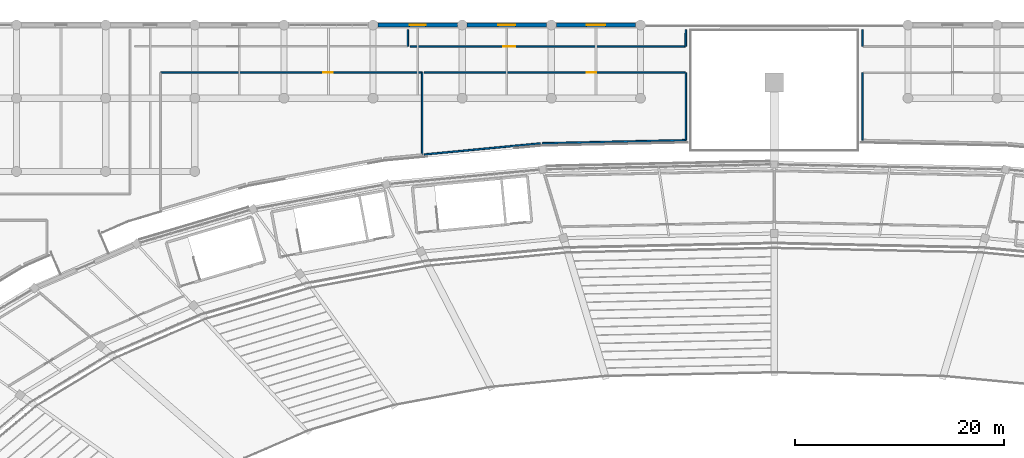
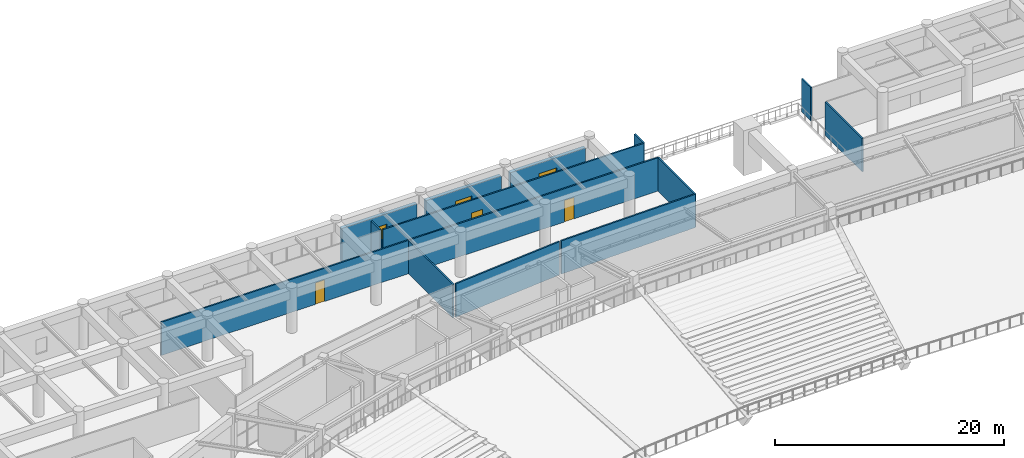
# One storey, part 105 of 137: 14 walls, 3 doors, 3 windows, 6 openings.
"""IFC4 building model written with IfcOpenShell, lengths in metres."""

from ifc_helpers import new_model, si_unit, direction, frame, frame_2d, origin, place, context, subcontext, project, spatial, rectangle, extrude, material, layer, layer_set, type_object, element, fill, save


model = new_model("IFC4")

# Units and contexts
model_context = context("Model", 3, precision=1e-05, world=origin(), true_north=direction((0.0, 1.0)))
body_context = subcontext(model_context, "Body", "Model", "MODEL_VIEW")
ifc_project = project(units=[si_unit("LENGTHUNIT", "METRE"), si_unit("AREAUNIT", "SQUARE_METRE"), si_unit("VOLUMEUNIT", "CUBIC_METRE"), si_unit("PLANEANGLEUNIT", "RADIAN"), si_unit("MASSUNIT", "GRAM", prefix="KILO")], contexts=[model_context])

# Site, building, storey
site_placement = place(None, origin())
site = spatial("IfcSite", under=ifc_project, at=site_placement, CompositionType="ELEMENT")
building_placement = place(site_placement, origin())
building = spatial("IfcBuilding", under=site, at=building_placement, Name="Mphavela Belvedere Stadium", CompositionType="ELEMENT")
storey_placement = place(building_placement, frame((0.0, 0.0, 19.199951171875)))
storey = spatial("IfcBuildingStorey", under=building, at=storey_placement, Name="L04", CompositionType="ELEMENT", Elevation=19.199951171875)

# Wall, opening, window
ifc_material_1 = material(Name="Honed ashlar limestone masonry", Category="masonry")
ifc_layer_1 = layer(ifc_material_1, 0.35009765625)
ifc_layer_set_1 = layer_set([ifc_layer_1], Name="Honed ashlar limestone masonry")
wall_type_1 = type_object("IfcWallType", Name="WAL-EXT-ASHLAR-350", PredefinedType="STANDARD", material=ifc_layer_set_1)
wall_1_placement = place(storey_placement, frame((77.139892578125, 174.0, 0.0), z_axis=(0.0, 0.0, 1.0), x_axis=(1.0, 0.0, 0.0)))
wall_1 = element("IfcWall", 1, at=wall_1_placement, inside=storey, type_object=wall_type_1, Name="North Mast and Ceremonial End Forecourt outer facade bay L04-10", PredefinedType="STANDARD", context=body_context, shape_type="SweptSolid", body=[
    extrude(rectangle(XDim=7.572021484375, YDim=0.35009765625, at=frame_2d((3.7861328125, 0.0))), origin(), (0.0, 0.0, 1.0), 3.56005859375),
])
opening_1_placement = place(wall_1_placement, frame((3.02587890625, 0.0, 0.89990234375)))
opening_1 = element("IfcOpeningElement", 2, at=opening_1_placement, cuts=wall_1, Name="Opening W-224", PredefinedType="OPENING", context=body_context, shape_type="SweptSolid", body=[
    extrude(rectangle(XDim=1.52001953125, YDim=1.550048828125, at=frame_2d((0.760009765625, 0.77490234375))), frame((0.0, 0.18505859375, 0.0), z_axis=(0.0, -1.0, 0.0), x_axis=(1.0, 0.0, 0.0)), (0.0, 0.0, 1.0), 0.3701171875),
])
ifc_material_2 = material(Name="Bronze-anodised thermally broken aluminium window", Category="aluminium")
window_type_1 = type_object("IfcWindowType", Name="WIN-EXT-04", PartitioningType="SINGLE_PANEL", PredefinedType="WINDOW", material=ifc_material_2)
window_1_placement = place(opening_1_placement, origin())
window_1 = element("IfcWindow", 3, at=window_1_placement, inside=storey, type_object=window_type_1, Name="North Mast and Ceremonial End Forecourt classical window W-224", OverallHeight=1.550048828125, OverallWidth=1.52001953125, PartitioningType="SINGLE_PANEL", PredefinedType="WINDOW", context=body_context, shape_type="SweptSolid", body=[
    extrude(rectangle(XDim=1.52001953125, YDim=1.550048828125, at=frame_2d((0.760009765625, 0.77490234375))), frame((0.0, 0.030029296875, 0.0), z_axis=(0.0, -1.0, 0.0), x_axis=(1.0, 0.0, 0.0)), (0.0, 0.0, 1.0), 0.06005859375),
])
fill(opening_1, window_1)

wall_2_placement = place(storey_placement, frame((85.657958984375, 174.0, 0.0), z_axis=(0.0, 0.0, 1.0), x_axis=(1.0, 0.0, 0.0)))
wall_2 = element("IfcWall", 4, at=wall_2_placement, inside=storey, type_object=wall_type_1, Name="North Mast and Ceremonial End Forecourt outer facade bay L04-11", PredefinedType="STANDARD", context=body_context, shape_type="SweptSolid", body=[
    extrude(rectangle(XDim=7.572998046875, YDim=0.35009765625, at=frame_2d((3.78662109375, 0.0))), origin(), (0.0, 0.0, 1.0), 3.56005859375),
])
opening_2_placement = place(wall_2_placement, frame((2.95654296875, 0.0, 0.89990234375)))
opening_2 = element("IfcOpeningElement", 5, at=opening_2_placement, cuts=wall_2, Name="Opening W-225", PredefinedType="OPENING", context=body_context, shape_type="SweptSolid", body=[
    extrude(rectangle(XDim=1.659912109375, YDim=1.550048828125, at=frame_2d((0.830078125, 0.77490234375))), frame((0.0, 0.18505859375, 0.0), z_axis=(0.0, -1.0, 0.0), x_axis=(1.0, 0.0, 0.0)), (0.0, 0.0, 1.0), 0.3701171875),
])
ifc_material_3 = material(Name="Bronze-anodised thermally broken aluminium window", Category="aluminium")
window_type_2 = type_object("IfcWindowType", Name="WIN-EXT-05", PartitioningType="SINGLE_PANEL", PredefinedType="WINDOW", material=ifc_material_3)
window_2_placement = place(opening_2_placement, origin())
window_2 = element("IfcWindow", 6, at=window_2_placement, inside=storey, type_object=window_type_2, Name="North Mast and Ceremonial End Forecourt classical window W-225", OverallHeight=1.550048828125, OverallWidth=1.659912109375, PartitioningType="SINGLE_PANEL", PredefinedType="WINDOW", context=body_context, shape_type="SweptSolid", body=[
    extrude(rectangle(XDim=1.659912109375, YDim=1.550048828125, at=frame_2d((0.830078125, 0.77490234375))), frame((0.0, 0.030029296875, 0.0), z_axis=(0.0, -1.0, 0.0), x_axis=(1.0, 0.0, 0.0)), (0.0, 0.0, 1.0), 0.06005859375),
])
fill(opening_2, window_2)

wall_3_placement = place(storey_placement, frame((94.177001953125, 174.0, 0.0), z_axis=(0.0, 0.0, 1.0), x_axis=(1.0, 0.0, 0.0)))
wall_3 = element("IfcWall", 7, at=wall_3_placement, inside=storey, type_object=wall_type_1, Name="North Mast and Ceremonial End Forecourt outer facade bay L04-12", PredefinedType="STANDARD", context=body_context, shape_type="SweptSolid", body=[
    extrude(rectangle(XDim=7.572021484375, YDim=0.35009765625, at=frame_2d((3.7861328125, 0.0))), origin(), (0.0, 0.0, 1.0), 3.56005859375),
])
opening_3_placement = place(wall_3_placement, frame((2.885986328125, 0.0, 0.89990234375)))
opening_3 = element("IfcOpeningElement", 8, at=opening_3_placement, cuts=wall_3, Name="Opening W-226", PredefinedType="OPENING", context=body_context, shape_type="SweptSolid", body=[
    extrude(rectangle(XDim=1.800048828125, YDim=1.550048828125, at=frame_2d((0.89990234375, 0.77490234375))), frame((0.0, 0.18505859375, 0.0), z_axis=(0.0, -1.0, 0.0), x_axis=(1.0, 0.0, 0.0)), (0.0, 0.0, 1.0), 0.3701171875),
])
ifc_material_4 = material(Name="Bronze-anodised thermally broken aluminium window", Category="aluminium")
window_type_3 = type_object("IfcWindowType", Name="WIN-EXT-06", PartitioningType="SINGLE_PANEL", PredefinedType="WINDOW", material=ifc_material_4)
window_3_placement = place(opening_3_placement, origin())
window_3 = element("IfcWindow", 9, at=window_3_placement, inside=storey, type_object=window_type_3, Name="North Mast and Ceremonial End Forecourt classical window W-226", OverallHeight=1.550048828125, OverallWidth=1.800048828125, PartitioningType="SINGLE_PANEL", PredefinedType="WINDOW", context=body_context, shape_type="SweptSolid", body=[
    extrude(rectangle(XDim=1.800048828125, YDim=1.550048828125, at=frame_2d((0.89990234375, 0.77490234375))), frame((0.0, 0.030029296875, 0.0), z_axis=(0.0, -1.0, 0.0), x_axis=(1.0, 0.0, 0.0)), (0.0, 0.0, 1.0), 0.06005859375),
])
fill(opening_3, window_3)

# Wall, opening, door
ifc_material_5 = material(Name="Acoustic gypsum stud partition assembly")
ifc_layer_2 = layer(ifc_material_5, 0.14990234375)
ifc_layer_set_2 = layer_set([ifc_layer_2], Name="Acoustic gypsum stud partition assembly")
wall_type_2 = type_object("IfcWallType", Name="WAL-PART-150", PredefinedType="PARTITIONING", material=ifc_layer_set_2)
wall_4_placement = place(storey_placement, frame((106.5, 171.9599609375, 0.0), z_axis=(0.0, 0.0, 1.0), x_axis=(-1.0, 0.0, 0.0)))
wall_4 = element("IfcWall", 10, at=wall_4_placement, inside=storey, type_object=wall_type_2, Name="Room L04-118 corridor partition", PredefinedType="PARTITIONING", context=body_context, shape_type="SweptSolid", body=[
    extrude(rectangle(XDim=26.300048828125, YDim=0.14990234375, at=frame_2d((13.14990234375, 0.0))), origin(), (0.0, 0.0, 1.0), 3.550048828125),
])
opening_4_placement = place(wall_4_placement, frame((16.258056640625, 0.0, 0.0)))
opening_4 = element("IfcOpeningElement", 11, at=opening_4_placement, cuts=wall_4, Name="Opening ID-487", PredefinedType="OPENING", context=body_context, shape_type="SweptSolid", body=[
    extrude(rectangle(XDim=1.139892578125, YDim=2.199951171875, at=frame_2d((0.56982421875, 1.10009765625))), frame((0.0, 0.0849609375, 0.0), z_axis=(0.0, -1.0, 0.0), x_axis=(1.0, 0.0, 0.0)), (0.0, 0.0, 1.0), 0.169921875),
])
ifc_material_6 = material(Name="Hardwood acoustic timber doorset", Category="wood")
door_type_1 = type_object("IfcDoorType", Name="DR-INT-19", OperationType="NOTDEFINED", PredefinedType="DOOR", material=ifc_material_6)
door_1_placement = place(opening_4_placement, origin())
door_1 = element("IfcDoor", 12, at=door_1_placement, inside=storey, type_object=door_type_1, Name="Room L04-118 entrance door ID-487", OperationType="SINGLE_SWING_LEFT", OverallHeight=2.199951171875, OverallWidth=1.139892578125, PredefinedType="DOOR", context=body_context, shape_type="SweptSolid", body=[
    extrude(rectangle(XDim=1.139892578125, YDim=2.199951171875, at=frame_2d((0.56982421875, 1.10009765625))), frame((0.0, 0.02490234375, 0.0), z_axis=(0.0, -1.0, 0.0), x_axis=(1.0, 0.0, 0.0)), (0.0, 0.0, 1.0), 0.050048828125),
])
fill(opening_4, door_1)

wall_5_placement = place(storey_placement, frame((56.360107421875, 169.43994140625, 0.0), z_axis=(0.0, 0.0, 1.0), x_axis=(1.0, 0.0, 0.0)))
wall_5 = element("IfcWall", 13, at=wall_5_placement, inside=storey, type_object=wall_type_2, Name="Room L04-124 corridor partition", PredefinedType="PARTITIONING", context=body_context, shape_type="SweptSolid", body=[
    extrude(rectangle(XDim=24.994873046875, YDim=0.14990234375, at=frame_2d((12.49755859375, 0.0))), origin(), (0.0, 0.0, 1.0), 3.550048828125),
])
opening_5_placement = place(wall_5_placement, frame((15.56591796875, 0.0, 0.0)))
opening_5 = element("IfcOpeningElement", 14, at=opening_5_placement, cuts=wall_5, Name="Opening ID-493", PredefinedType="OPENING", context=body_context, shape_type="SweptSolid", body=[
    extrude(rectangle(XDim=0.89990234375, YDim=2.300048828125, at=frame_2d((0.449951171875, 1.14990234375))), frame((0.0, 0.0849609375, 0.0), z_axis=(0.0, -1.0, 0.0), x_axis=(1.0, 0.0, 0.0)), (0.0, 0.0, 1.0), 0.169921875),
])
ifc_material_7 = material(Name="Hardwood acoustic timber doorset", Category="wood")
door_type_2 = type_object("IfcDoorType", Name="DR-INT-25", OperationType="NOTDEFINED", PredefinedType="DOOR", material=ifc_material_7)
door_2_placement = place(opening_5_placement, origin())
door_2 = element("IfcDoor", 15, at=door_2_placement, inside=storey, type_object=door_type_2, Name="Room L04-124 entrance door ID-493", OperationType="SINGLE_SWING_LEFT", OverallHeight=2.300048828125, OverallWidth=0.89990234375, PredefinedType="DOOR", context=body_context, shape_type="SweptSolid", body=[
    extrude(rectangle(XDim=0.89990234375, YDim=2.300048828125, at=frame_2d((0.449951171875, 1.14990234375))), frame((0.0, 0.02490234375, 0.0), z_axis=(0.0, -1.0, 0.0), x_axis=(1.0, 0.0, 0.0)), (0.0, 0.0, 1.0), 0.050048828125),
])
fill(opening_5, door_2)

wall_6_placement = place(storey_placement, frame((81.554931640625, 169.43994140625, 0.0), z_axis=(0.0, 0.0, 1.0), x_axis=(1.0, 0.0, 0.0)))
wall_6 = element("IfcWall", 16, at=wall_6_placement, inside=storey, type_object=wall_type_2, Name="Room L04-125 corridor partition", PredefinedType="PARTITIONING", context=body_context, shape_type="SweptSolid", body=[
    extrude(rectangle(XDim=24.945068359375, YDim=0.14990234375, at=frame_2d((12.47265625, 0.0))), origin(), (0.0, 0.0, 1.0), 3.550048828125),
])
opening_6_placement = place(wall_6_placement, frame((15.507080078125, 0.0, 0.0)))
opening_6 = element("IfcOpeningElement", 17, at=opening_6_placement, cuts=wall_6, Name="Opening ID-494", PredefinedType="OPENING", context=body_context, shape_type="SweptSolid", body=[
    extrude(rectangle(XDim=0.93994140625, YDim=2.300048828125, at=frame_2d((0.469970703125, 1.14990234375))), frame((0.0, 0.0849609375, 0.0), z_axis=(0.0, -1.0, 0.0), x_axis=(1.0, 0.0, 0.0)), (0.0, 0.0, 1.0), 0.169921875),
])
ifc_material_8 = material(Name="Hardwood acoustic timber doorset", Category="wood")
door_type_3 = type_object("IfcDoorType", Name="DR-INT-26", OperationType="NOTDEFINED", PredefinedType="DOOR", material=ifc_material_8)
door_3_placement = place(opening_6_placement, origin())
door_3 = element("IfcDoor", 18, at=door_3_placement, inside=storey, type_object=door_type_3, Name="Room L04-125 entrance door ID-494", OperationType="SINGLE_SWING_RIGHT", OverallHeight=2.300048828125, OverallWidth=0.93994140625, PredefinedType="DOOR", context=body_context, shape_type="SweptSolid", body=[
    extrude(rectangle(XDim=0.93994140625, YDim=2.300048828125, at=frame_2d((0.469970703125, 1.14990234375))), frame((0.0, 0.02490234375, 0.0), z_axis=(0.0, -1.0, 0.0), x_axis=(1.0, 0.0, 0.0)), (0.0, 0.0, 1.0), 0.050048828125),
])
fill(opening_6, door_3)

# Walls
wall_7_placement = place(storey_placement, frame((80.0, 173.550048828125, 0.0), z_axis=(0.0, 0.0, 1.0), x_axis=(0.0, -1.0, 0.0)))
element("IfcWall", 19, at=wall_7_placement, inside=storey, type_object=wall_type_2, Name="Room divider partition L04-1099", PredefinedType="PARTITIONING", context=body_context, shape_type="SweptSolid", body=[
    extrude(rectangle(XDim=1.590087890625, YDim=0.14990234375, at=frame_2d((0.794921875, 0.0))), origin(), (0.0, 0.0, 1.0), 3.550048828125),
])
wall_8_placement = place(storey_placement, frame((106.550048828125, 173.550048828125, 0.0), z_axis=(0.0, 0.0, 1.0), x_axis=(-0.002293221305, -0.999997370565, 0.0)))
element("IfcWall", 20, at=wall_8_placement, inside=storey, type_object=wall_type_2, Name="Room divider partition L04-1100", PredefinedType="PARTITIONING", context=body_context, shape_type="SweptSolid", body=[
    extrude(rectangle(XDim=1.596923828125, YDim=0.14990234375, at=frame_2d((0.79833984375, 0.0))), origin(), (0.0, 0.0, 1.0), 3.550048828125),
])
wall_9_placement = place(storey_placement, frame((123.449951171875, 171.951904296875, 0.0), z_axis=(0.0, 0.0, 1.0), x_axis=(0.0, 1.0, 0.0)))
element("IfcWall", 21, at=wall_9_placement, inside=storey, type_object=wall_type_2, Name="Room divider partition L04-1101", PredefinedType="PARTITIONING", context=body_context, shape_type="SweptSolid", body=[
    extrude(rectangle(XDim=1.59814453125, YDim=0.14990234375, at=frame_2d((0.799072265625, 0.0))), origin(), (0.0, 0.0, 1.0), 3.550048828125),
])
wall_10_placement = place(storey_placement, frame((81.35498046875, 169.43994140625, 0.0), z_axis=(0.0, 0.0, 1.0), x_axis=(0.0, -1.0, 0.0)))
element("IfcWall", 22, at=wall_10_placement, inside=storey, type_object=wall_type_2, Name="Room divider partition L04-1119", PredefinedType="PARTITIONING", context=body_context, shape_type="SweptSolid", body=[
    extrude(rectangle(XDim=7.834228515625, YDim=0.14990234375, at=frame_2d((3.9169921875, 0.0))), origin(), (0.0, 0.0, 1.0), 3.550048828125),
])
wall_11_placement = place(storey_placement, frame((92.648193359375, 162.6826171875, 0.0), z_axis=(0.0, 0.0, 1.0), x_axis=(-0.995483944756, -0.094930057059, 0.0)))
element("IfcWall", 23, at=wall_11_placement, inside=storey, type_object=wall_type_2, Name="Room divider partition L04-1121", PredefinedType="PARTITIONING", context=body_context, shape_type="SweptSolid", body=[
    extrude(rectangle(XDim=11.1435546875, YDim=0.14990234375, at=frame_2d((5.57177734375, 0.0))), origin(), (0.0, 0.0, 1.0), 3.550048828125),
])
wall_12_placement = place(storey_placement, frame((106.550048828125, 169.4482421875, 0.0), z_axis=(0.0, 0.0, 1.0), x_axis=(0.0, -1.0, 0.0)))
element("IfcWall", 24, at=wall_12_placement, inside=storey, type_object=wall_type_2, Name="Room divider partition L04-1122", PredefinedType="PARTITIONING", context=body_context, shape_type="SweptSolid", body=[
    extrude(rectangle(XDim=6.459716796875, YDim=0.14990234375, at=frame_2d((3.22998046875, 0.0))), origin(), (0.0, 0.0, 1.0), 3.550048828125),
])
wall_13_placement = place(storey_placement, frame((106.550048828125, 162.988525390625, 0.0), z_axis=(0.0, 0.0, 1.0), x_axis=(-0.999768230535, -0.021528706714, 0.0)))
element("IfcWall", 25, at=wall_13_placement, inside=storey, type_object=wall_type_2, Name="Room divider partition L04-1123", PredefinedType="PARTITIONING", context=body_context, shape_type="SweptSolid", body=[
    extrude(rectangle(XDim=13.7216796875, YDim=0.14990234375, at=frame_2d((6.86083984375, 0.0))), origin(), (0.0, 0.0, 1.0), 3.550048828125),
])
wall_14_placement = place(storey_placement, frame((123.449951171875, 162.988525390625, 0.0), z_axis=(0.0, 0.0, 1.0), x_axis=(0.0, 1.0, 0.0)))
element("IfcWall", 26, at=wall_14_placement, inside=storey, type_object=wall_type_2, Name="Room divider partition L04-1125", PredefinedType="PARTITIONING", context=body_context, shape_type="SweptSolid", body=[
    extrude(rectangle(XDim=6.459716796875, YDim=0.14990234375, at=frame_2d((3.22998046875, 0.0))), origin(), (0.0, 0.0, 1.0), 3.550048828125),
])

save(model, "model.ifc")
